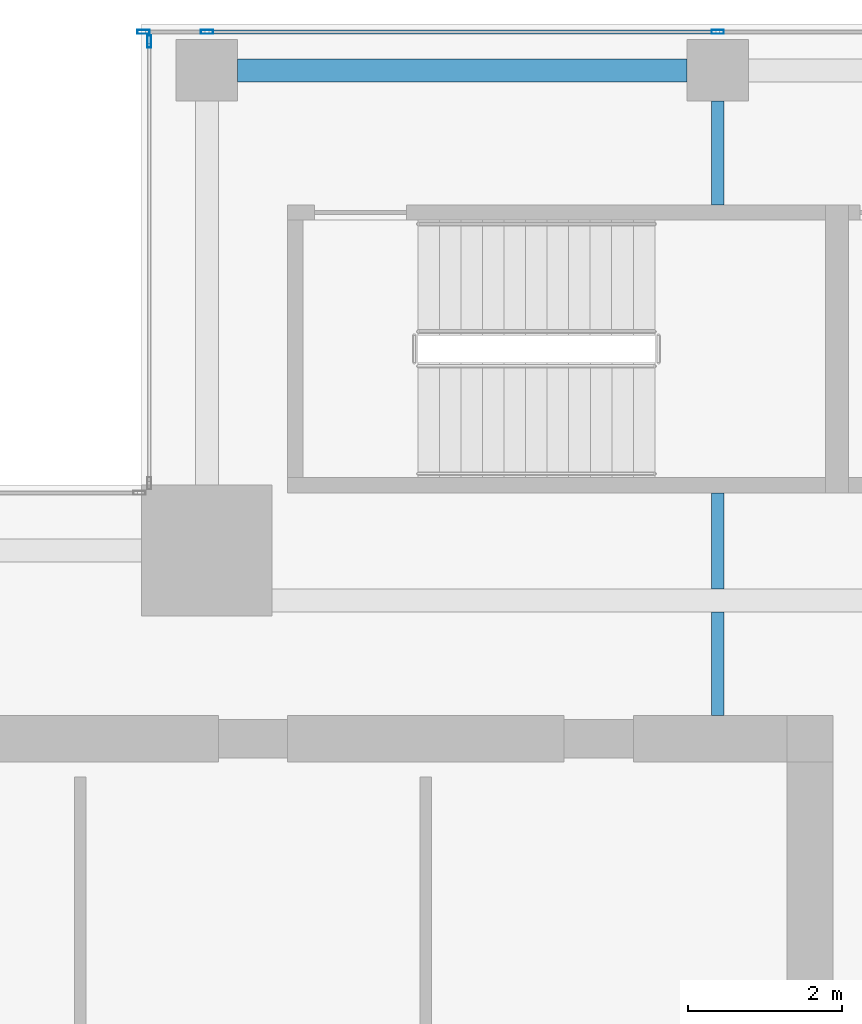
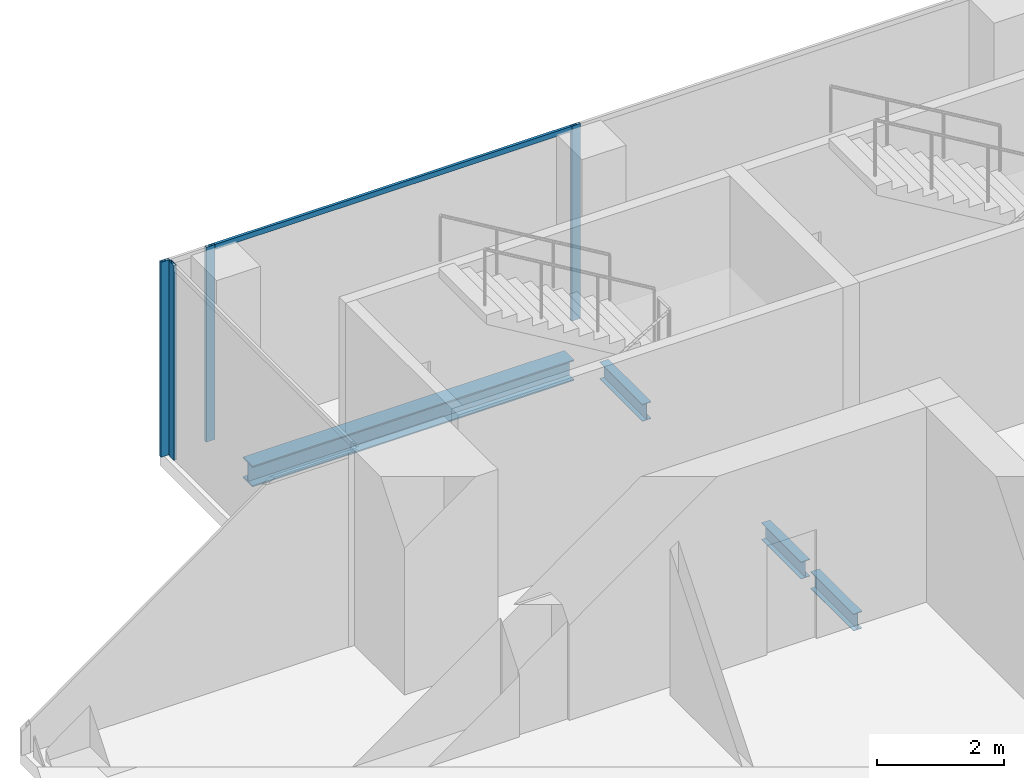
# One storey, part 14 of 29: 5 members, 4 beams, 2 elements without a shape of their own.
"""IFC4 building model written with IfcOpenShell, lengths in metres."""

from ifc_helpers import new_model, si_unit, direction, frame, origin, origin_2d, place, context, subcontext, project, spatial, hollow_rectangle, i_section, extrude, source, transform, mapped, material, material_profile, profile_set, type_object, element, aggregate, save


model = new_model("IFC4")

# Units and contexts
model_context = context("Model", 3, precision=1e-05, world=origin(), true_north=direction((0.0, 1.0)))
body_context = subcontext(model_context, "Body", "Model", "MODEL_VIEW")
ifc_project = project(units=[si_unit("LENGTHUNIT", "METRE"), si_unit("AREAUNIT", "SQUARE_METRE"), si_unit("VOLUMEUNIT", "CUBIC_METRE"), si_unit("PLANEANGLEUNIT", "RADIAN"), si_unit("MASSUNIT", "GRAM", prefix="KILO")], contexts=[model_context])

# Site, building, storey
site_placement = place(None, origin())
site = spatial("IfcSite", under=ifc_project, at=site_placement, CompositionType="ELEMENT")
building_placement = place(site_placement, origin())
building = spatial("IfcBuilding", under=site, at=building_placement, Name="Khomas Fold Tower", CompositionType="ELEMENT")
storey_placement = place(building_placement, frame((0.0, 0.0, 286.199951171875)))
storey = spatial("IfcBuildingStorey", under=building, at=storey_placement, Name="L64", CompositionType="ELEMENT", Elevation=286.199951171875)

# Beams
ifc_material_1 = material(Name="Steel S355", Category="steel")
ifc_material_profile_1 = material_profile(ifc_material_1, i_section(OverallWidth=0.159912109375, OverallDepth=0.330078125, WebThickness=0.007568359375, FlangeThickness=0.011474609375, at=origin_2d()), Name="IPE 330")
ifc_profile_set_1 = profile_set([ifc_material_profile_1], Name="Steel S355")
beam_type_1 = type_object("IfcBeamType", Name="IPE 330 beam JB1", PredefinedType="BEAM", material=ifc_profile_set_1)
shared_shape_1 = source(origin(), body_context, "Body", "SweptSolid", [
    extrude(i_section(OverallWidth=0.159912109375, OverallDepth=0.330078125, WebThickness=0.007568359375, FlangeThickness=0.011474609375, at=origin_2d()), origin(), (0.0, 0.0, 1.0), 1.25),
])
beam_1_placement = place(storey_placement, frame((19.5, 40.64990234375, -0.4150390625), z_axis=(0.0, 1.0, 0.0), x_axis=(-1.0, 0.0, 0.0)))
element("IfcBeam", 1, at=beam_1_placement, inside=storey, type_object=beam_type_1, Name="JB1", PredefinedType="BEAM", context=body_context, shape_type="MappedRepresentation", body=[
    mapped(shared_shape_1, transform((0.0, 0.0, 0.0))),
])
shared_shape_2 = source(origin(), body_context, "Body", "SweptSolid", [
    extrude(i_section(OverallWidth=0.159912109375, OverallDepth=0.330078125, WebThickness=0.007568359375, FlangeThickness=0.011474609375, at=origin_2d()), origin(), (0.0, 0.0, 1.0), 1.35009765625),
])
for number, where, z_axis, x_axis, name in (
    (2, (19.5, 39.0, -0.4150390625), (0.0, 1.0, 0.0), (-1.0, 0.0, 0.0), "JB1"),
    (3, (19.5, 45.64990234375, -0.4150390625), (0.0, 1.0, 0.0), (-1.0, 0.0, 0.0), "JB1"),
):
    element("IfcBeam", number, at=place(storey_placement, frame(where, z_axis=z_axis, x_axis=x_axis)), inside=storey, type_object=beam_type_1, Name=name, PredefinedType="BEAM", context=body_context, shape_type="MappedRepresentation", body=[
        mapped(shared_shape_2, transform((0.0, 0.0, 0.0))),
    ])
ifc_material_2 = material(Name="Steel S355", Category="steel")
ifc_material_profile_2 = material_profile(ifc_material_2, i_section(OverallWidth=0.300048828125, OverallDepth=0.39990234375, WebThickness=0.013427734375, FlangeThickness=0.02392578125, at=origin_2d()), Name="HE 400 B")
ifc_profile_set_2 = profile_set([ifc_material_profile_2], Name="Steel S355")
beam_type_2 = type_object("IfcBeamType", Name="HE 400 B spandrel SB5", PredefinedType="SPANDREL", material=ifc_profile_set_2)
shared_shape_3 = source(origin(), body_context, "Body", "SweptSolid", [
    extrude(i_section(OverallWidth=0.300048828125, OverallDepth=0.39990234375, WebThickness=0.013427734375, FlangeThickness=0.02392578125, at=origin_2d()), origin(), (0.0, 0.0, 1.0), 5.85009765625),
])
beam_2_placement = place(storey_placement, frame((13.25, 47.39990234375, -0.449951171875), z_axis=(1.0, 0.0, 0.0), x_axis=(0.0, 1.0, 0.0)))
element("IfcBeam", 4, at=beam_2_placement, inside=storey, type_object=beam_type_2, Name="SB5", PredefinedType="SPANDREL", context=body_context, shape_type="MappedRepresentation", body=[
    mapped(shared_shape_3, transform((0.0, 0.0, 0.0))),
])

# Curtain wall, members
ifc_material_3 = material(Name="Aluminium framed double glazing", Category="aluminium")
curtain_wall_type = type_object("IfcCurtainWallType", Name="SK-Unitised clear-glass wall, upper floors CW3", PredefinedType="NOTDEFINED", material=ifc_material_3)
curtain_wall_1_placement = place(storey_placement, origin())
curtain_wall_1 = element("IfcCurtainWall", 5, at=curtain_wall_1_placement, inside=storey, type_object=curtain_wall_type, Name="CW3 run L64 06-1", PredefinedType="NOTDEFINED")
ifc_material_4 = material(Name="Aluminium", Category="aluminium")
ifc_material_profile_3 = material_profile(ifc_material_4, hollow_rectangle(XDim=0.050048828125, YDim=0.159912109375, WallThickness=0.00390625, at=origin_2d()), Name="SK-Unitised clear-glass wall, upper floors mullion CW3-M")
ifc_profile_set_3 = profile_set([ifc_material_profile_3], Name="Aluminium")
member_type_1 = type_object("IfcMemberType", Name="SK-Unitised clear-glass wall, upper floors mullion CW3-M", PredefinedType="MULLION", material=ifc_profile_set_3)
shared_shape_4 = source(origin(), body_context, "Body", "SweptSolid", [
    extrude(hollow_rectangle(XDim=0.050048828125, YDim=0.159912109375, WallThickness=0.00390625, at=origin_2d()), origin(), (0.0, 0.0, 1.0), 3.75),
])
member_1_placement = place(storey_placement, frame((19.5, 47.89990234375, 0.0), z_axis=(0.0, 0.0, 1.0), x_axis=(0.0, -1.0, 0.0)))
member_1 = element("IfcMember", 6, at=member_1_placement, type_object=member_type_1, Name="CW3 mullion 4", PredefinedType="MULLION", context=body_context, shape_type="MappedRepresentation", body=[
    mapped(shared_shape_4, transform((0.0, 0.0, 0.0))),
])
member_2_placement = place(storey_placement, frame((12.85009765625, 47.89990234375, 0.0), z_axis=(0.0, 0.0, 1.0), x_axis=(0.0, -1.0, 0.0)))
member_2 = element("IfcMember", 7, at=member_2_placement, type_object=member_type_1, Name="CW3 mullion 5", PredefinedType="MULLION", context=body_context, shape_type="MappedRepresentation", body=[
    mapped(shared_shape_4, transform((0.0, 0.0, 0.0))),
])
member_3_placement = place(storey_placement, frame((12.02490234375, 47.89990234375, 0.0), z_axis=(0.0, 0.0, 1.0), x_axis=(0.0, -1.0, 0.0)))
member_3 = element("IfcMember", 8, at=member_3_placement, type_object=member_type_1, Name="CW3 mullion 6", PredefinedType="MULLION", context=body_context, shape_type="MappedRepresentation", body=[
    mapped(shared_shape_4, transform((0.0, 0.0, 0.0))),
])

# Curtain wall, member
curtain_wall_2_placement = place(storey_placement, origin())
curtain_wall_2 = element("IfcCurtainWall", 9, at=curtain_wall_2_placement, inside=storey, type_object=curtain_wall_type, Name="CW3 corner return L64 07", PredefinedType="NOTDEFINED")
member_4_placement = place(storey_placement, frame((12.10009765625, 47.77490234375, 0.0), z_axis=(0.0, 0.0, 1.0), x_axis=(1.0, 0.0, 0.0)))
member_4 = element("IfcMember", 10, at=member_4_placement, type_object=member_type_1, Name="CW3 mullion 1", PredefinedType="MULLION", context=body_context, shape_type="MappedRepresentation", body=[
    mapped(shared_shape_4, transform((0.0, 0.0, 0.0))),
])
aggregate(curtain_wall_2, [member_4])

# Member
ifc_material_5 = material(Name="Aluminium", Category="aluminium")
ifc_material_profile_4 = material_profile(ifc_material_5, hollow_rectangle(XDim=0.050048828125, YDim=0.10009765625, WallThickness=0.00390625, at=origin_2d()), Name="SK-Unitised clear-glass wall, upper floors transom CW3-T")
ifc_profile_set_4 = profile_set([ifc_material_profile_4], Name="Aluminium")
member_type_2 = type_object("IfcMemberType", Name="SK-Unitised clear-glass wall, upper floors transom CW3-T", PredefinedType="USERDEFINED", material=ifc_profile_set_4)
shared_shape_5 = source(origin(), body_context, "Body", "SweptSolid", [
    extrude(hollow_rectangle(XDim=0.050048828125, YDim=0.10009765625, WallThickness=0.00390625, at=origin_2d()), origin(), (0.0, 0.0, 1.0), 6.60009765625),
])
member_5_placement = place(storey_placement, frame((19.47509765625, 47.89990234375, 3.699951171875), z_axis=(-1.0, 0.0, 0.0), x_axis=(0.0, -1.0, 0.0)))
member_5 = element("IfcMember", 11, at=member_5_placement, type_object=member_type_2, Name="CW3 transom 4", ObjectType="TRANSOM", PredefinedType="USERDEFINED", context=body_context, shape_type="MappedRepresentation", body=[
    mapped(shared_shape_5, transform((0.0, 0.0, 0.0))),
])

aggregate(curtain_wall_1, [member_1, member_2, member_3, member_5])

save(model, "model.ifc")
